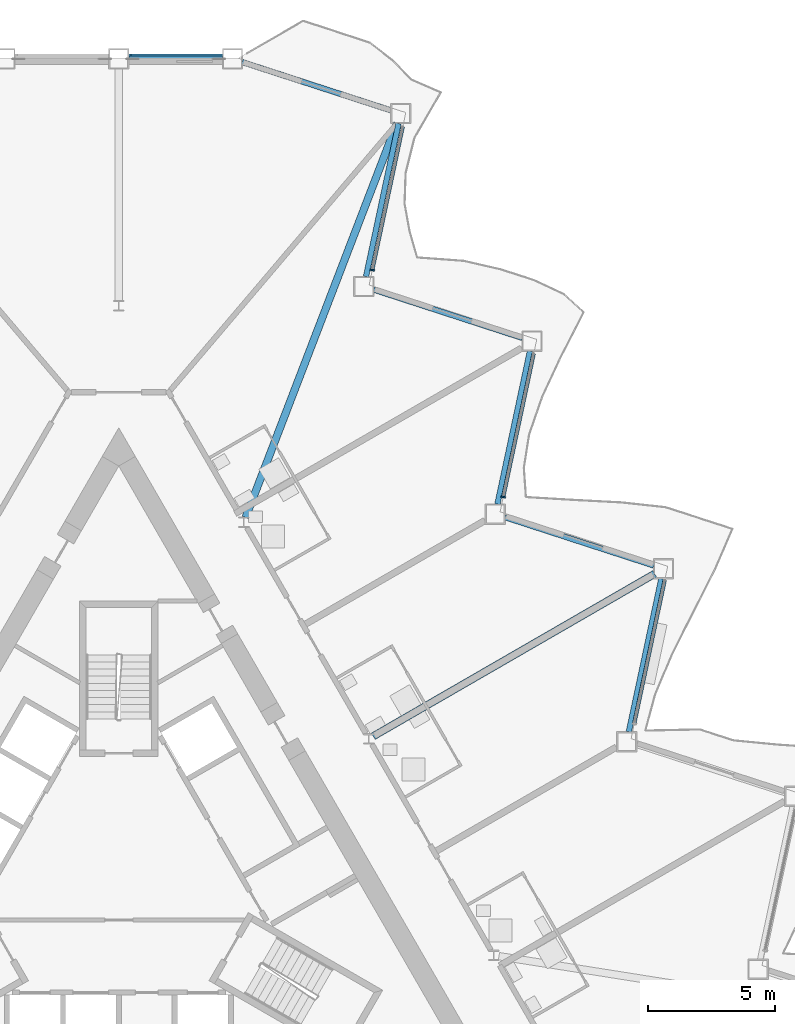
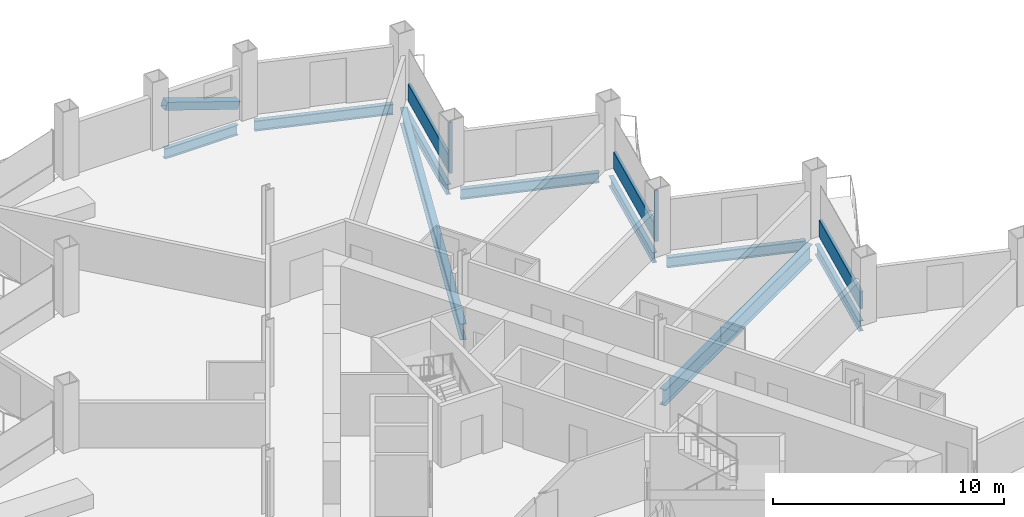
# One storey, part 9 of 24: 9 beams, 6 members, 3 elements without a shape of their own.
"""IFC4 building model written with IfcOpenShell, lengths in metres."""

from ifc_helpers import new_model, si_unit, direction, frame, origin, origin_2d, place, context, subcontext, project, spatial, rectangle, hollow_rectangle, i_section, extrude, material, layer, layer_set, material_profile, profile_set, type_object, element, aggregate, save


model = new_model("IFC4")

# Units and contexts
model_context = context("Model", 3, precision=1e-05, world=origin(), true_north=direction((0.0, 1.0)))
body_context = subcontext(model_context, "Body", "Model", "MODEL_VIEW")
ifc_project = project(units=[si_unit("LENGTHUNIT", "METRE"), si_unit("AREAUNIT", "SQUARE_METRE"), si_unit("VOLUMEUNIT", "CUBIC_METRE"), si_unit("PLANEANGLEUNIT", "RADIAN"), si_unit("MASSUNIT", "GRAM", prefix="KILO")], contexts=[model_context])

# Site, building, storey
site_placement = place(None, origin())
site = spatial("IfcSite", under=ifc_project, at=site_placement, CompositionType="ELEMENT")
building_placement = place(site_placement, origin())
building = spatial("IfcBuilding", under=site, at=building_placement, Name="Cormorant Prow Tower", CompositionType="ELEMENT")
storey_placement = place(building_placement, frame((0.0, 0.0, 201.60009765625)))
storey = spatial("IfcBuildingStorey", under=building, at=storey_placement, Name="L44", CompositionType="ELEMENT", Elevation=201.60009765625)

# Member
ifc_material_1 = material(Name="Structural steel ASTM A500 Gr C", Category="steel")
ifc_material_profile_1 = material_profile(ifc_material_1, hollow_rectangle(XDim=0.406494140625, YDim=0.406494140625, WallThickness=0.01171875, at=origin_2d()), Name="HSS16x16x1/2")
ifc_profile_set_1 = profile_set([ifc_material_profile_1], Name="Structural steel ASTM A500 Gr C")
member_type_1 = type_object("IfcMemberType", Name="Chamfer brace HSS16x16x1/2", PredefinedType="BRACE", material=ifc_profile_set_1)
member_1_placement = place(storey_placement, frame((4.05322265625, 32.3994140625, 0.739990234375), z_axis=(-0.947999999098, 0.0, 0.318270328039), x_axis=(0.0, -1.0, 0.0)))
element("IfcMember", 1, at=member_1_placement, inside=storey, type_object=member_type_1, Name="Chamfer brace BR2 at N00 L44", PredefinedType="BRACE", context=body_context, shape_type="SweptSolid", body=[
    extrude(hollow_rectangle(XDim=0.406494140625, YDim=0.406494140625, WallThickness=0.01171875, at=origin_2d()), origin(), (0.0, 0.0, 1.0), 3.83544921875),
])

# Curtain wall, member
ifc_material_2 = material(Name="Aluminium 6063-T6", Category="aluminium")
ifc_layer = layer(ifc_material_2, 0.179931640625)
ifc_layer_set = layer_set([ifc_layer], Name="Aluminium 6063-T6")
curtain_wall_type = type_object("IfcCurtainWallType", Name="Hotel unitised curtain wall 180", PredefinedType="NOTDEFINED", material=ifc_layer_set)
curtain_wall_1_placement = place(storey_placement, origin())
curtain_wall_1 = element("IfcCurtainWall", 2, at=curtain_wall_1_placement, inside=storey, type_object=curtain_wall_type, Name="Hotel curtain wall ENE06", PredefinedType="NOTDEFINED")
ifc_material_3 = material(Name="Aluminium 6063-T6", Category="aluminium")
ifc_material_profile_2 = material_profile(ifc_material_3, rectangle(XDim=0.179931640625, YDim=0.06005859375, at=origin_2d()), Name="Hotel mullion 60x180")
ifc_profile_set_2 = profile_set([ifc_material_profile_2], Name="Aluminium 6063-T6")
member_type_2 = type_object("IfcMemberType", Name="Hotel mullion 60x180", PredefinedType="MULLION", material=ifc_profile_set_2)
member_2_placement = place(storey_placement, frame((15.11328125, 15.183349609375, 0.0), z_axis=(0.0, 0.0, 1.0), x_axis=(-0.978147605448, 0.207911668641, 0.0)))
member_2 = element("IfcMember", 3, at=member_2_placement, type_object=member_type_2, Name="Hotel mullion ENE06", PredefinedType="MULLION", context=body_context, shape_type="SweptSolid", body=[
    extrude(rectangle(XDim=0.179931640625, YDim=0.06005859375, at=origin_2d()), origin(), (0.0, 0.0, 1.0), 2.70068359375),
])

curtain_wall_2_placement = place(storey_placement, origin())
curtain_wall_2 = element("IfcCurtainWall", 4, at=curtain_wall_2_placement, inside=storey, type_object=curtain_wall_type, Name="Hotel curtain wall ENE08", PredefinedType="NOTDEFINED")
member_3_placement = place(storey_placement, frame((9.96533203125, 24.099853515625, 0.0), z_axis=(0.0, 0.0, 1.0), x_axis=(-0.978147605448, 0.207911668641, 0.0)))
member_3 = element("IfcMember", 5, at=member_3_placement, type_object=member_type_2, Name="Hotel mullion ENE08", PredefinedType="MULLION", context=body_context, shape_type="SweptSolid", body=[
    extrude(rectangle(XDim=0.179931640625, YDim=0.06005859375, at=origin_2d()), origin(), (0.0, 0.0, 1.0), 2.70068359375),
])

curtain_wall_3_placement = place(storey_placement, origin())
curtain_wall_3 = element("IfcCurtainWall", 6, at=curtain_wall_3_placement, inside=storey, type_object=curtain_wall_type, Name="Hotel curtain wall ENE04", PredefinedType="NOTDEFINED")
ifc_material_4 = material(Name="Terracotta", Category="masonry")
ifc_material_profile_3 = material_profile(ifc_material_4, rectangle(XDim=0.139892578125, YDim=0.89990234375, at=origin_2d()), Name="Hotel terracotta spandrel rail 140x900")
ifc_profile_set_3 = profile_set([ifc_material_profile_3], Name="Terracotta")
member_type_3 = type_object("IfcMemberType", Name="Hotel terracotta spandrel rail 140x900", PredefinedType="USERDEFINED", material=ifc_profile_set_3)
member_4_placement = place(storey_placement, frame((20.267578125, 6.2958984375, 0.449951171875), z_axis=(0.207914285886, 0.978147049131, 0.0), x_axis=(-0.978147049131, 0.207914285886, 0.0)))
member_4 = element("IfcMember", 7, at=member_4_placement, type_object=member_type_3, Name="Hotel spandrel rail ENE04", ObjectType="TRANSOM", PredefinedType="USERDEFINED", context=body_context, shape_type="SweptSolid", body=[
    extrude(rectangle(XDim=0.139892578125, YDim=0.89990234375, at=origin_2d()), origin(), (0.0, 0.0, 1.0), 5.7314453125),
])
aggregate(curtain_wall_3, [member_4])

# Member
member_5_placement = place(storey_placement, frame((15.11962890625, 15.212646484375, 0.449951171875), z_axis=(0.207914285886, 0.978147049131, 0.0), x_axis=(-0.978147049131, 0.207914285886, 0.0)))
member_5 = element("IfcMember", 8, at=member_5_placement, type_object=member_type_3, Name="Hotel spandrel rail ENE06", ObjectType="TRANSOM", PredefinedType="USERDEFINED", context=body_context, shape_type="SweptSolid", body=[
    extrude(rectangle(XDim=0.139892578125, YDim=0.89990234375, at=origin_2d()), origin(), (0.0, 0.0, 1.0), 5.7314453125),
])

aggregate(curtain_wall_1, [member_2, member_5])

member_6_placement = place(storey_placement, frame((9.971435546875, 24.129150390625, 0.449951171875), z_axis=(0.207914285886, 0.978147049131, 0.0), x_axis=(-0.978147049131, 0.207914285886, 0.0)))
member_6 = element("IfcMember", 9, at=member_6_placement, type_object=member_type_3, Name="Hotel spandrel rail ENE08", ObjectType="TRANSOM", PredefinedType="USERDEFINED", context=body_context, shape_type="SweptSolid", body=[
    extrude(rectangle(XDim=0.139892578125, YDim=0.89990234375, at=origin_2d()), origin(), (0.0, 0.0, 1.0), 5.7314453125),
])

aggregate(curtain_wall_2, [member_3, member_6])

# Beams
ifc_material_5 = material(Name="Structural steel ASTM A992 Gr 50", Category="steel")
ifc_material_profile_4 = material_profile(ifc_material_5, i_section(OverallWidth=0.29296875, OverallDepth=0.845703125, WebThickness=0.015380859375, FlangeThickness=0.0244140625, at=origin_2d()), Name="W33x141")
ifc_profile_set_4 = profile_set([ifc_material_profile_4], Name="Structural steel ASTM A992 Gr 50")
beam_type_1 = type_object("IfcBeamType", Name="Radial floor beam W33x141", PredefinedType="BEAM", material=ifc_profile_set_4)
beam_1_placement = place(storey_placement, frame((10.0048828125, 5.7763671875, -0.77294921875), z_axis=(0.866026069776, 0.499998846467, 0.0), x_axis=(-0.499998846467, 0.866026069776, 0.0)))
element("IfcBeam", 10, at=beam_1_placement, inside=storey, type_object=beam_type_1, Name="Radial floor beam FB2 11 L44", PredefinedType="BEAM", context=body_context, shape_type="SweptSolid", body=[
    extrude(i_section(OverallWidth=0.29296875, OverallDepth=0.845703125, WebThickness=0.015380859375, FlangeThickness=0.0244140625, at=origin_2d()), origin(), (0.0, 0.0, 1.0), 12.76904296875),
])
beam_2_placement = place(storey_placement, frame((4.9873046875, 14.376220703125, -0.77294921875), z_axis=(0.358301123829, 0.933606075742, 0.0), x_axis=(-0.933606075742, 0.358301123829, 0.0)))
element("IfcBeam", 11, at=beam_2_placement, inside=storey, type_object=beam_type_1, Name="Radial floor beam FB2 12 L44", PredefinedType="BEAM", context=body_context, shape_type="SweptSolid", body=[
    extrude(i_section(OverallWidth=0.29296875, OverallDepth=0.845703125, WebThickness=0.015380859375, FlangeThickness=0.0244140625, at=origin_2d()), origin(), (0.0, 0.0, 1.0), 16.604736328125),
])
ifc_material_6 = material(Name="Structural steel ASTM A992 Gr 50", Category="steel")
ifc_material_profile_5 = material_profile(ifc_material_6, i_section(OverallWidth=0.2138671875, OverallDepth=0.549072265625, WebThickness=0.0146484375, FlangeThickness=0.023681640625, at=origin_2d()), Name="W21x93")
ifc_profile_set_5 = profile_set([ifc_material_profile_5], Name="Structural steel ASTM A992 Gr 50")
beam_type_2 = type_object("IfcBeamType", Name="Spandrel beam W21x93", PredefinedType="SPANDREL", material=ifc_profile_set_5)
beam_3_placement = place(storey_placement, frame((20.0478515625, 5.9541015625, -0.624755859375), z_axis=(0.207904811195, 0.978149063018, 0.0), x_axis=(-0.978149063018, 0.207904811195, 0.0)))
element("IfcBeam", 12, at=beam_3_placement, inside=storey, type_object=beam_type_2, Name="Spandrel beam SB2 ENE04-ENE05 L44", PredefinedType="SPANDREL", context=body_context, shape_type="SweptSolid", body=[
    extrude(i_section(OverallWidth=0.2138671875, OverallDepth=0.549072265625, WebThickness=0.0146484375, FlangeThickness=0.023681640625, at=origin_2d()), origin(), (0.0, 0.0, 1.0), 6.149658203125),
])
beam_4_placement = place(storey_placement, frame((21.029052734375, 12.484375, -0.624755859375), z_axis=(-0.951057696564, 0.309013361859, 0.0), x_axis=(-0.309013361859, -0.951057696564, 0.0)))
element("IfcBeam", 13, at=beam_4_placement, inside=storey, type_object=beam_type_2, Name="Spandrel beam SB2 ENE05-ENE06 L44", PredefinedType="SPANDREL", context=body_context, shape_type="SweptSolid", body=[
    extrude(i_section(OverallWidth=0.2138671875, OverallDepth=0.549072265625, WebThickness=0.0146484375, FlangeThickness=0.023681640625, at=origin_2d()), origin(), (0.0, 0.0, 1.0), 6.14990234375),
])
beam_5_placement = place(storey_placement, frame((14.883056640625, 14.899658203125, -0.624755859375), z_axis=(0.207904811195, 0.978149063018, 0.0), x_axis=(-0.978149063018, 0.207904811195, 0.0)))
element("IfcBeam", 14, at=beam_5_placement, inside=storey, type_object=beam_type_2, Name="Spandrel beam SB2 ENE06-ENE07 L44", PredefinedType="SPANDREL", context=body_context, shape_type="SweptSolid", body=[
    extrude(i_section(OverallWidth=0.2138671875, OverallDepth=0.549072265625, WebThickness=0.0146484375, FlangeThickness=0.023681640625, at=origin_2d()), origin(), (0.0, 0.0, 1.0), 6.149658203125),
])
beam_6_placement = place(storey_placement, frame((15.864501953125, 21.429931640625, -0.624755859375), z_axis=(-0.951057696564, 0.309013361859, 0.0), x_axis=(-0.309013361859, -0.951057696564, 0.0)))
element("IfcBeam", 15, at=beam_6_placement, inside=storey, type_object=beam_type_2, Name="Spandrel beam SB2 ENE07-ENE08 L44", PredefinedType="SPANDREL", context=body_context, shape_type="SweptSolid", body=[
    extrude(i_section(OverallWidth=0.2138671875, OverallDepth=0.549072265625, WebThickness=0.0146484375, FlangeThickness=0.023681640625, at=origin_2d()), origin(), (0.0, 0.0, 1.0), 6.14990234375),
])
beam_7_placement = place(storey_placement, frame((9.71826171875, 23.84521484375, -0.624755859375), z_axis=(0.207904811195, 0.978149063018, 0.0), x_axis=(-0.978149063018, 0.207904811195, 0.0)))
element("IfcBeam", 16, at=beam_7_placement, inside=storey, type_object=beam_type_2, Name="Spandrel beam SB2 ENE08-ENE09 L44", PredefinedType="SPANDREL", context=body_context, shape_type="SweptSolid", body=[
    extrude(i_section(OverallWidth=0.2138671875, OverallDepth=0.549072265625, WebThickness=0.0146484375, FlangeThickness=0.023681640625, at=origin_2d()), origin(), (0.0, 0.0, 1.0), 6.149658203125),
])
beam_8_placement = place(storey_placement, frame((10.69970703125, 30.37548828125, -0.624755859375), z_axis=(-0.951057696564, 0.309013361859, 0.0), x_axis=(-0.309013361859, -0.951057696564, 0.0)))
element("IfcBeam", 17, at=beam_8_placement, inside=storey, type_object=beam_type_2, Name="Spandrel beam SB2 ENE09-N00 L44", PredefinedType="SPANDREL", context=body_context, shape_type="SweptSolid", body=[
    extrude(i_section(OverallWidth=0.2138671875, OverallDepth=0.549072265625, WebThickness=0.0146484375, FlangeThickness=0.023681640625, at=origin_2d()), origin(), (0.0, 0.0, 1.0), 6.14990234375),
])
beam_9_placement = place(storey_placement, frame((4.0703125, 32.3994140625, -0.624755859375), z_axis=(-1.0, 0.0, 0.0), x_axis=(0.0, -1.0, 0.0)))
element("IfcBeam", 18, at=beam_9_placement, inside=storey, type_object=beam_type_2, Name="Spandrel beam SB2 N00-N01 L44", PredefinedType="SPANDREL", context=body_context, shape_type="SweptSolid", body=[
    extrude(i_section(OverallWidth=0.2138671875, OverallDepth=0.549072265625, WebThickness=0.0146484375, FlangeThickness=0.023681640625, at=origin_2d()), origin(), (0.0, 0.0, 1.0), 3.67041015625),
])

save(model, "model.ifc")
